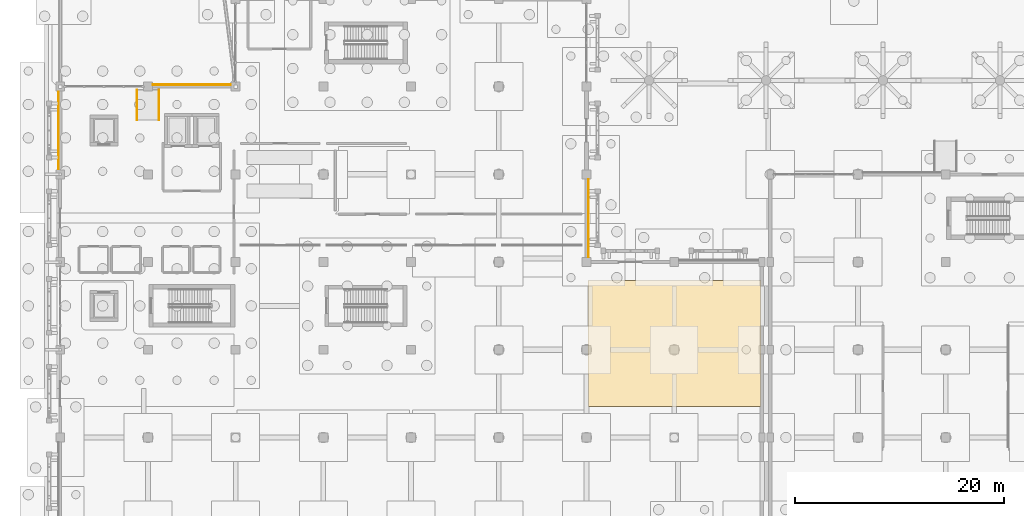
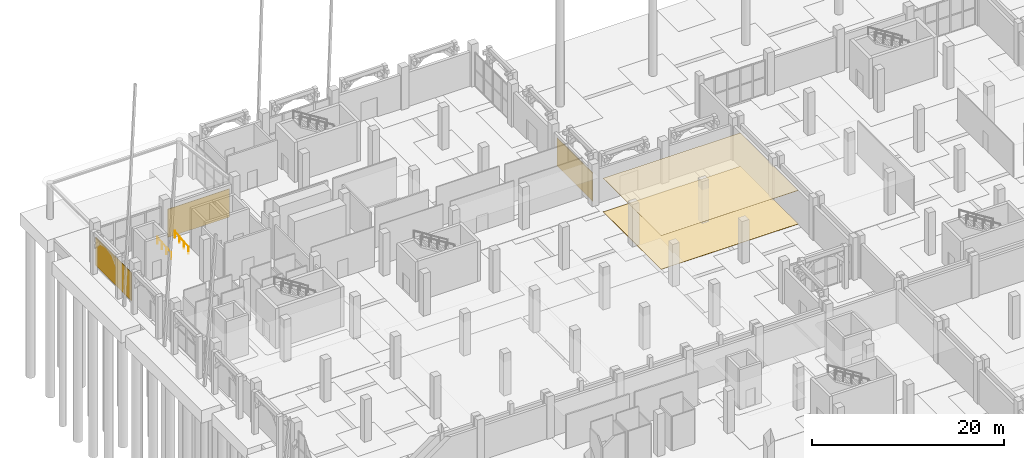
# One storey, part 89 of 98: 5 coverings, 2 railings.
"""IFC4 building model written with IfcOpenShell, lengths in metres."""

from ifc_helpers import new_model, si_unit, direction, frame, origin, origin_2d, place, context, subcontext, project, spatial, polyline, rectangle, circle, outline, extrude, material, layer, layer_set, type_object, element, save


model = new_model("IFC4")

# Units and contexts
model_context = context("Model", 3, precision=1e-05, world=origin(), true_north=direction((0.0, 1.0)))
body_context = subcontext(model_context, "Body", "Model", "MODEL_VIEW")
ifc_project = project(units=[si_unit("LENGTHUNIT", "METRE"), si_unit("AREAUNIT", "SQUARE_METRE"), si_unit("VOLUMEUNIT", "CUBIC_METRE"), si_unit("PLANEANGLEUNIT", "RADIAN"), si_unit("MASSUNIT", "GRAM", prefix="KILO")], contexts=[model_context])

# Site, building, storey
site_placement = place(None, origin())
site = spatial("IfcSite", under=ifc_project, at=site_placement, CompositionType="ELEMENT")
building_placement = place(site_placement, origin())
building = spatial("IfcBuilding", under=site, at=building_placement, Name="Xazarin Passage Department Store", CompositionType="ELEMENT")
storey_placement = place(building_placement, origin())
storey = spatial("IfcBuildingStorey", under=building, at=storey_placement, Name="L00", CompositionType="ELEMENT", Elevation=0.0)

# Coverings
ifc_material_1 = material(Name="Absheron limestone cladding", Category="masonry")
ifc_layer_1 = layer(ifc_material_1, 0.06005859375)
ifc_layer_set_1 = layer_set([ifc_layer_1], Name="Absheron limestone cladding")
covering_type_1 = type_object("IfcCoveringType", Name="ARC-COV-CLD060", PredefinedType="CLADDING", material=ifc_layer_set_1)
for number, where, z_axis, x_axis, name in (
    (1, (12.60009765625, 101.780029296875, 0.0), (0.0, 0.0, 1.0), (1.0, 0.0, 0.0), "L00 Absheron Limestone Plinth Cladding 010"),
    (2, (-0.179931640625, 97.39990234375, 0.0), (0.0, 0.0, 1.0), (0.0, 1.0, 0.0), "L00 Absheron Limestone Plinth Cladding 017"),
    (3, (50.590087890625, 89.0, 0.0), (0.0, 0.0, 1.0), (0.0, 1.0, 0.0), "L00 Absheron Limestone Plinth Cladding 018"),
):
    element("IfcCovering", number, at=place(storey_placement, frame(where, z_axis=z_axis, x_axis=x_axis)), inside=storey, type_object=covering_type_1, Name=name, PredefinedType="CLADDING", context=body_context, shape_type="SweptSolid", body=[
        extrude(rectangle(XDim=7.449951171875, YDim=0.06005859375, at=origin_2d()), origin(), (0.0, 0.0, 1.0), 3.60009765625),
    ])
ifc_material_2 = material(Name="Acoustic mineral ceiling")
ifc_layer_2 = layer(ifc_material_2, 0.030029296875)
ifc_layer_set_2 = layer_set([ifc_layer_2], Name="Acoustic mineral ceiling")
covering_type_2 = type_object("IfcCoveringType", Name="ARC-COV-CLG030", PredefinedType="CEILING", material=ifc_layer_set_2)
covering_1_placement = place(storey_placement, frame((0.0, 0.0, 4.27001953125)))
element("IfcCovering", 4, at=covering_1_placement, inside=storey, type_object=covering_type_2, Name="L00 Customer Service Lounge Acoustic Ceiling", PredefinedType="CEILING", context=body_context, shape_type="SweptSolid", body=[
    extrude(outline(polyline([(50.550048828125, 70.949951171875), (67.10009765625, 70.949951171875), (67.10009765625, 83.050048828125), (50.550048828125, 83.050048828125), (50.550048828125, 70.949951171875)])), origin(), (0.0, 0.0, 1.0), 0.030029296875),
])
ifc_material_3 = material(Name="Terrazzo stone flooring", Category="masonry")
ifc_layer_3 = layer(ifc_material_3, 0.02490234375)
ifc_layer_set_3 = layer_set([ifc_layer_3], Name="Terrazzo stone flooring")
covering_type_3 = type_object("IfcCoveringType", Name="ARC-COV-FLR025", PredefinedType="FLOORING", material=ifc_layer_set_3)
covering_2_placement = place(storey_placement, origin())
element("IfcCovering", 5, at=covering_2_placement, inside=storey, type_object=covering_type_3, Name="L00 Customer Service Lounge Terrazzo Flooring", PredefinedType="FLOORING", context=body_context, shape_type="SweptSolid", body=[
    extrude(outline(polyline([(50.550048828125, 70.949951171875), (67.10009765625, 70.949951171875), (67.10009765625, 83.050048828125), (50.550048828125, 83.050048828125), (50.550048828125, 70.949951171875)])), origin(), (0.0, 0.0, 1.0), 0.02490234375),
])

# Railings
ifc_material_4 = material(Name="Steel S355", Category="steel")
railing_type = type_object("IfcRailingType", Name="ARC-RL-HND090", PredefinedType="HANDRAIL", material=ifc_material_4)
for number, where, name in (
    (6, (7.35009765625, 98.419921875, -0.239990234375), "RMP-01 Left Handrail"),
    (7, (9.449951171875, 98.419921875, -0.239990234375), "RMP-01 Right Handrail"),
):
    element("IfcRailing", number, at=place(storey_placement, frame(where)), inside=storey, type_object=railing_type, Name=name, PredefinedType="HANDRAIL", context=body_context, shape_type="SweptSolid", body=[
        extrude(circle(Radius=0.02392578125, at=origin_2d()), frame((0.0, 0.0, 0.8759765625), z_axis=(0.0, 0.996546340804, 0.083038488854), x_axis=(-1.0, 0.0, 0.0)), (0.0, 0.0, 1.0), 2.89013671875),
        extrude(circle(Radius=0.02099609375, at=origin_2d()), origin(), (0.0, 0.0, 1.0), 0.8515625),
        extrude(circle(Radius=0.02099609375, at=origin_2d()), frame((0.0, 0.9599609375, 0.080078125)), (0.0, 0.0, 1.0), 0.8515625),
        extrude(circle(Radius=0.02099609375, at=origin_2d()), frame((0.0, 1.920166015625, 0.159912109375)), (0.0, 0.0, 1.0), 0.8515625),
        extrude(circle(Radius=0.02099609375, at=origin_2d()), frame((0.0, 2.880126953125, 0.239990234375)), (0.0, 0.0, 1.0), 0.8515625),
    ])

save(model, "model.ifc")
